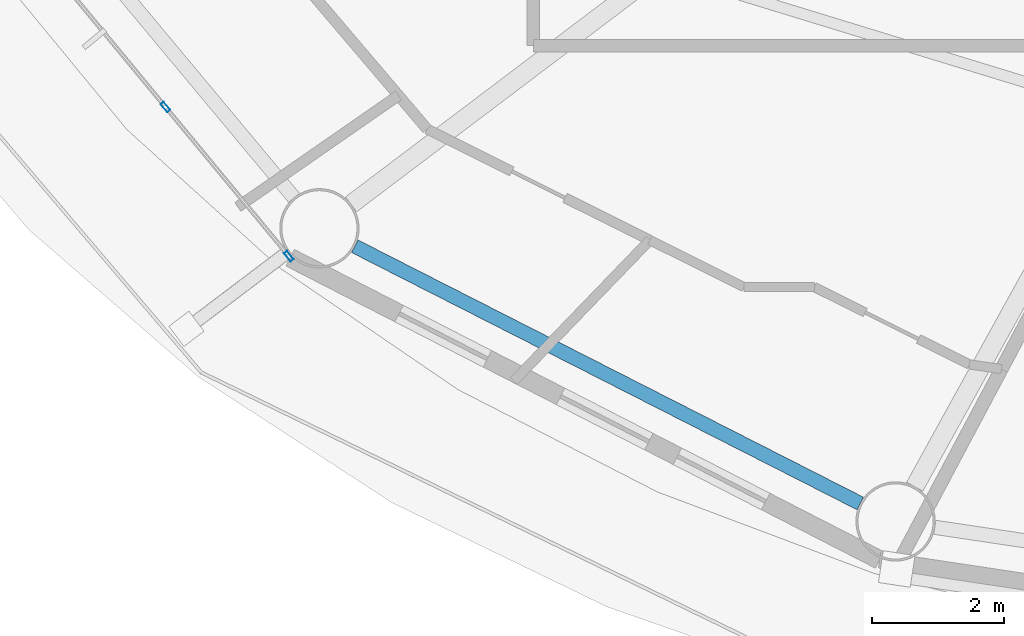
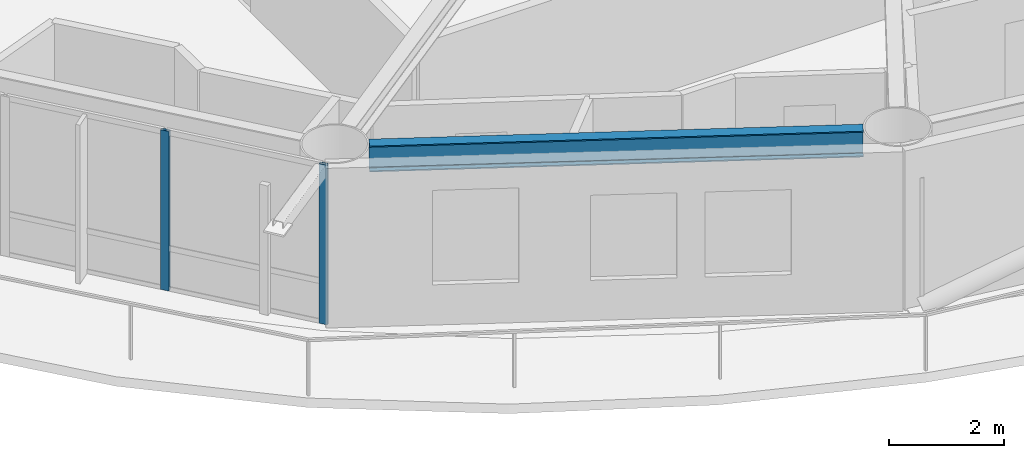
# One storey, part 2 of 28: 2 members, 1 beam, 1 element without a shape of its own.
"""IFC4 building model written with IfcOpenShell, lengths in metres."""

from ifc_helpers import new_model, si_unit, direction, frame, origin, origin_2d, place, context, subcontext, project, spatial, hollow_rectangle, i_section, extrude, material, layer, layer_set, material_profile, profile_set, type_object, element, aggregate, save


model = new_model("IFC4")

# Units and contexts
model_context = context("Model", 3, precision=1e-05, world=origin(), true_north=direction((0.0, 1.0)))
body_context = subcontext(model_context, "Body", "Model", "MODEL_VIEW")
ifc_project = project(units=[si_unit("LENGTHUNIT", "METRE"), si_unit("AREAUNIT", "SQUARE_METRE"), si_unit("VOLUMEUNIT", "CUBIC_METRE"), si_unit("PLANEANGLEUNIT", "RADIAN"), si_unit("MASSUNIT", "GRAM", prefix="KILO")], contexts=[model_context])

# Site, building, storey
site_placement = place(None, origin())
site = spatial("IfcSite", under=ifc_project, at=site_placement, CompositionType="ELEMENT")
building_placement = place(site_placement, origin())
building = spatial("IfcBuilding", under=site, at=building_placement, Name="Sarneth Arch Tower", CompositionType="ELEMENT")
storey_placement = place(building_placement, frame((0.0, 0.0, 190.199951171875)))
storey = spatial("IfcBuildingStorey", under=building, at=storey_placement, Name="L48", CompositionType="ELEMENT", Elevation=190.199951171875)

# Beam
ifc_material_1 = material(Name="Steel S355", Category="steel")
ifc_material_profile_1 = material_profile(ifc_material_1, i_section(OverallWidth=0.214111328125, OverallDepth=0.549072265625, WebThickness=0.0146484375, FlangeThickness=0.023681640625, FilletRadius=0.01806640625, at=origin_2d()), Name="W530x138")
ifc_profile_set_1 = profile_set([ifc_material_profile_1], Name="Steel S355")
beam_type = type_object("IfcBeamType", Name="BM-RAD-530A", PredefinedType="BEAM", material=ifc_profile_set_1)
beam_placement = place(storey_placement, frame((29.40087890625, 27.267578125, 3.10546875), z_axis=(0.891250372735, -0.453511601945, 0.0), x_axis=(0.453511601945, 0.891250372735, 0.0)))
element("IfcBeam", 1, at=beam_placement, inside=storey, type_object=beam_type, Name="L48 Perimeter spandrel beam 11", PredefinedType="BEAM", context=body_context, shape_type="SweptSolid", body=[
    extrude(i_section(OverallWidth=0.214111328125, OverallDepth=0.549072265625, WebThickness=0.0146484375, FlangeThickness=0.023681640625, FilletRadius=0.01806640625, at=origin_2d()), origin(), (0.0, 0.0, 1.0), 8.5751953125),
])

# Curtain wall, members
ifc_material_2 = material(Name="Anodised aluminium Type AA25 and solar-control low-e laminated IGU", Category="aluminium")
ifc_layer = layer(ifc_material_2, 0.169921875)
ifc_layer_set = layer_set([ifc_layer], Name="Anodised aluminium Type AA25 and solar-control low-e laminated IGU")
curtain_wall_type = type_object("IfcCurtainWallType", Name="CW-RES-MID", PredefinedType="NOTDEFINED", material=ifc_layer_set)
curtain_wall_placement = place(storey_placement, origin())
curtain_wall = element("IfcCurtainWall", 2, at=curtain_wall_placement, inside=storey, type_object=curtain_wall_type, Name="L48 Unitised curtain wall facet 10", PredefinedType="NOTDEFINED")
ifc_material_3 = material(Name="Anodised Aluminium 6063-T6", Category="aluminium")
ifc_material_profile_2 = material_profile(ifc_material_3, hollow_rectangle(XDim=0.06005859375, YDim=0.159912109375, WallThickness=0.00390625, at=origin_2d()), Name="AL-MULL-160x60x4")
ifc_profile_set_2 = profile_set([ifc_material_profile_2], Name="Anodised Aluminium 6063-T6")
member_type = type_object("IfcMemberType", Name="CW-MULLION", PredefinedType="MULLION", material=ifc_profile_set_2)
member_1_placement = place(storey_placement, frame((26.53857421875, 29.373779296875, 0.0), z_axis=(0.0, 0.0, 1.0), x_axis=(0.770590741276, 0.637330298558, 0.0)))
member_1 = element("IfcMember", 3, at=member_1_placement, type_object=member_type, Name="CW-SYS-5 mullion 3", PredefinedType="MULLION", context=body_context, shape_type="SweptSolid", body=[
    extrude(hollow_rectangle(XDim=0.06005859375, YDim=0.159912109375, WallThickness=0.00390625, at=origin_2d()), origin(), (0.0, 0.0, 1.0), 3.380126953125),
])
member_2_placement = place(storey_placement, frame((28.40478515625, 27.1171875, 0.0), z_axis=(0.0, 0.0, 1.0), x_axis=(0.770590741276, 0.637330298558, 0.0)))
member_2 = element("IfcMember", 4, at=member_2_placement, type_object=member_type, Name="CW-SYS-5 mullion 4", PredefinedType="MULLION", context=body_context, shape_type="SweptSolid", body=[
    extrude(hollow_rectangle(XDim=0.06005859375, YDim=0.159912109375, WallThickness=0.00390625, at=origin_2d()), origin(), (0.0, 0.0, 1.0), 3.380126953125),
])
aggregate(curtain_wall, [member_1, member_2])

save(model, "model.ifc")
